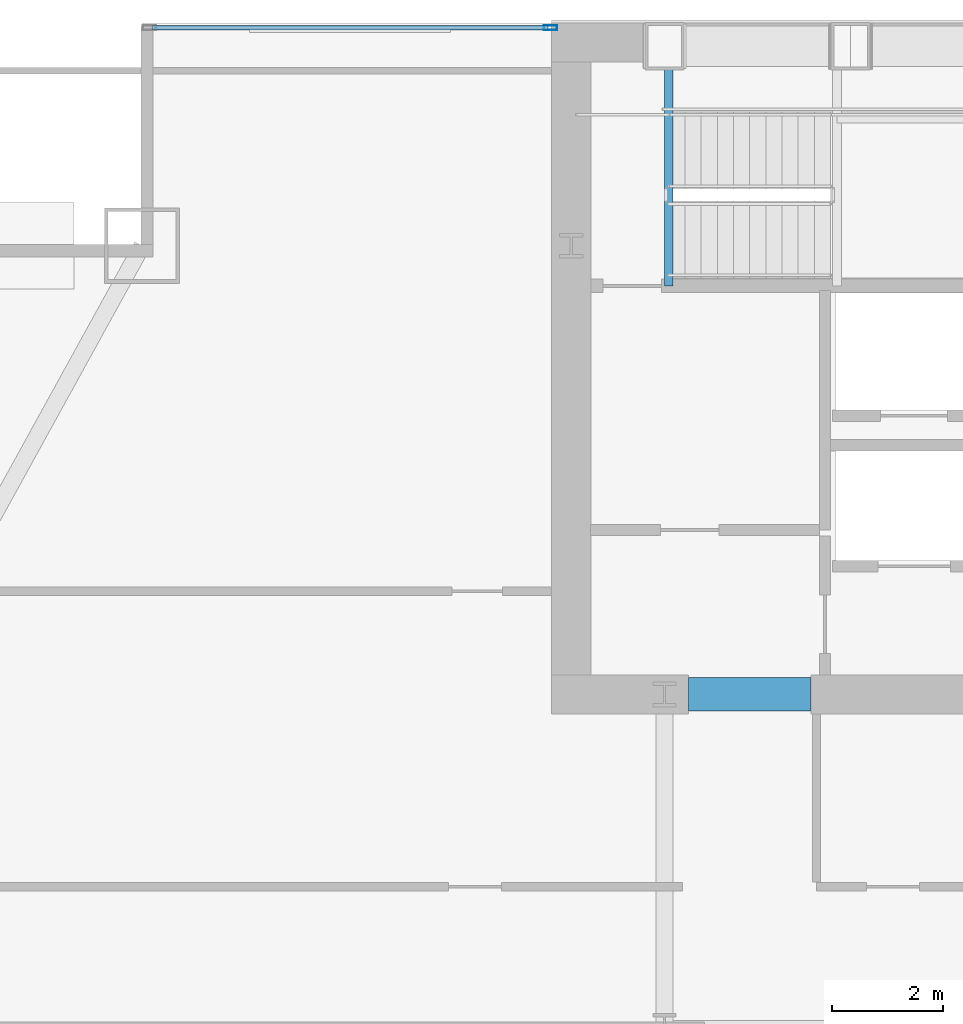
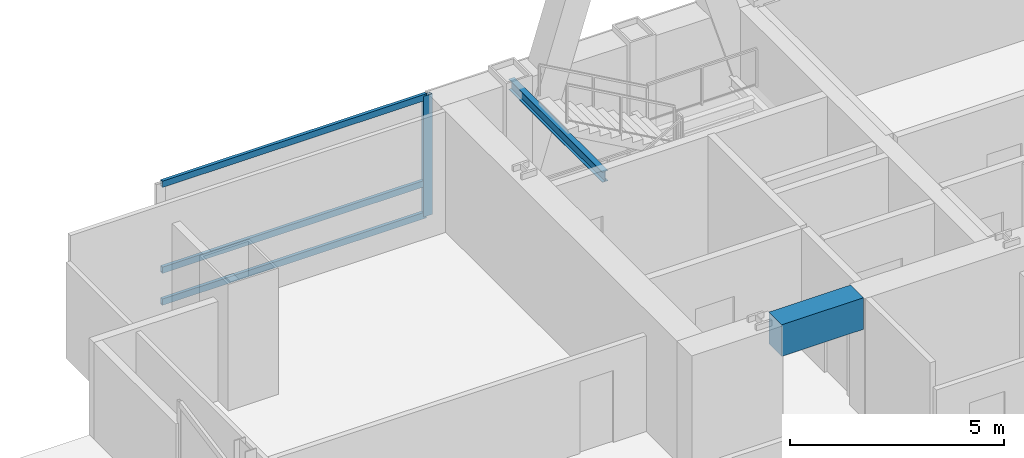
# One storey, part 17 of 30: 4 members, 2 beams, 1 element without a shape of its own.
"""IFC4 building model written with IfcOpenShell, lengths in metres."""

from ifc_helpers import new_model, si_unit, direction, frame, origin, origin_2d, place, context, subcontext, project, spatial, rectangle, hollow_rectangle, i_section, extrude, material, material_profile, profile_set, type_object, element, aggregate, save


model = new_model("IFC4")

# Units and contexts
model_context = context("Model", 3, precision=1e-05, world=origin(), true_north=direction((0.0, 1.0)))
body_context = subcontext(model_context, "Body", "Model", "MODEL_VIEW")
ifc_project = project(units=[si_unit("LENGTHUNIT", "METRE"), si_unit("AREAUNIT", "SQUARE_METRE"), si_unit("VOLUMEUNIT", "CUBIC_METRE"), si_unit("PLANEANGLEUNIT", "RADIAN"), si_unit("MASSUNIT", "GRAM", prefix="KILO")], contexts=[model_context])

# Site, building, storey
site_placement = place(None, origin())
site = spatial("IfcSite", under=ifc_project, at=site_placement, CompositionType="ELEMENT")
building_placement = place(site_placement, origin())
building = spatial("IfcBuilding", under=site, at=building_placement, Name="Khoronbel Lancet Exchange", CompositionType="ELEMENT")
storey_placement = place(building_placement, frame((0.0, 0.0, 136.199951171875)))
storey = spatial("IfcBuildingStorey", under=building, at=storey_placement, Name="L33", CompositionType="ELEMENT", Elevation=136.199951171875)

# Beams
ifc_material_1 = material(Name="Steel S355", Category="steel")
ifc_material_profile_1 = material_profile(ifc_material_1, i_section(OverallWidth=0.14990234375, OverallDepth=0.300048828125, WebThickness=0.007080078125, FlangeThickness=0.0107421875, at=origin_2d()), Name="IPE 300")
ifc_profile_set_1 = profile_set([ifc_material_profile_1], Name="Steel S355")
beam_type_1 = type_object("IfcBeamType", Name="BM-BJ8", PredefinedType="JOIST", material=ifc_profile_set_1)
beam_1_placement = place(storey_placement, frame((18.300048828125, 48.97998046875, 3.16015625), z_axis=(0.0, 1.0, 0.0), x_axis=(-1.0, 0.0, 0.0)))
element("IfcBeam", 1, at=beam_1_placement, inside=storey, type_object=beam_type_1, Name="Level L33 stair ST1 upper-flight arrival trimmer beam", PredefinedType="JOIST", context=body_context, shape_type="SweptSolid", body=[
    extrude(i_section(OverallWidth=0.14990234375, OverallDepth=0.300048828125, WebThickness=0.007080078125, FlangeThickness=0.0107421875, at=origin_2d()), origin(), (0.0, 0.0, 1.0), 4.3701171875),
])
ifc_material_2 = material(Name="Concrete C80/95", Category="concrete")
ifc_material_profile_2 = material_profile(ifc_material_2, rectangle(XDim=0.60009765625, YDim=0.89990234375, at=origin_2d()), Name="RC 600x900")
ifc_profile_set_2 = profile_set([ifc_material_profile_2], Name="Concrete C80/95")
beam_type_2 = type_object("IfcBeamType", Name="BM-BL1", PredefinedType="LINTEL", material=ifc_profile_set_2)
beam_2_placement = place(storey_placement, frame((18.64990234375, 41.64990234375, 2.989990234375), z_axis=(1.0, 0.0, 0.0), x_axis=(0.0, 1.0, 0.0)))
element("IfcBeam", 2, at=beam_2_placement, inside=storey, type_object=beam_type_2, Name="Level L33 rear core coupling lintel L1", PredefinedType="LINTEL", context=body_context, shape_type="SweptSolid", body=[
    extrude(rectangle(XDim=0.60009765625, YDim=0.89990234375, at=origin_2d()), origin(), (0.0, 0.0, 1.0), 2.2001953125),
])

# Curtain wall, members
ifc_material_3 = material(Name="Low-E Solar Control Insulating Glass", Category="glass")
curtain_wall_type = type_object("IfcCurtainWallType", Name="CW-3", PredefinedType="NOTDEFINED", material=ifc_material_3)
curtain_wall_placement = place(storey_placement, origin())
curtain_wall = element("IfcCurtainWall", 3, at=curtain_wall_placement, inside=storey, type_object=curtain_wall_type, Name="Unitised curtain wall CW-L33-NWFLK", PredefinedType="NOTDEFINED")
ifc_material_4 = material(Name="Bronze-Anodised Aluminium 6063-T6", Category="aluminium")
ifc_material_profile_3 = material_profile(ifc_material_4, hollow_rectangle(XDim=0.0849609375, YDim=0.239990234375, WallThickness=0.006103515625, at=origin_2d()), Name="ALU MULLION 85x240")
ifc_profile_set_3 = profile_set([ifc_material_profile_3], Name="Bronze-Anodised Aluminium 6063-T6")
member_type_1 = type_object("IfcMemberType", Name="MEM-CWM1", PredefinedType="MULLION", material=ifc_profile_set_3)
member_1_placement = place(storey_placement, frame((16.177490234375, 53.610107421875, 0.0), z_axis=(0.0, 0.0, 1.0), x_axis=(0.0, -1.0, 0.0)))
member_1 = element("IfcMember", 4, at=member_1_placement, type_object=member_type_1, Name="CW3 mullion 1", PredefinedType="MULLION", context=body_context, shape_type="SweptSolid", body=[
    extrude(hollow_rectangle(XDim=0.0849609375, YDim=0.239990234375, WallThickness=0.006103515625, at=origin_2d()), origin(), (0.0, 0.0, 1.0), 3.43994140625),
])
ifc_material_profile_4 = material_profile(ifc_material_4, hollow_rectangle(XDim=0.0849609375, YDim=0.179931640625, WallThickness=0.0048828125, at=origin_2d()), Name="ALU TRANSOM 85x180")
ifc_profile_set_4 = profile_set([ifc_material_profile_4], Name="Bronze-Anodised Aluminium 6063-T6")
member_type_2 = type_object("IfcMemberType", Name="MEM-CWT1", PredefinedType="USERDEFINED", material=ifc_profile_set_4)
member_2_placement = place(storey_placement, frame((16.135009765625, 53.610107421875, 0.04248046875), z_axis=(-1.0, 0.0, 0.0), x_axis=(0.0, -1.0, 0.0)))
member_2 = element("IfcMember", 5, at=member_2_placement, type_object=member_type_2, Name="CW3 transom 1.1", ObjectType="TRANSOM", PredefinedType="USERDEFINED", context=body_context, shape_type="SweptSolid", body=[
    extrude(hollow_rectangle(XDim=0.0849609375, YDim=0.179931640625, WallThickness=0.0048828125, at=origin_2d()), origin(), (0.0, 0.0, 1.0), 7.110107421875),
])
member_3_placement = place(storey_placement, frame((16.135009765625, 53.610107421875, 0.949951171875), z_axis=(-1.0, 0.0, 0.0), x_axis=(0.0, -1.0, 0.0)))
member_3 = element("IfcMember", 6, at=member_3_placement, type_object=member_type_2, Name="CW3 transom 1.2", ObjectType="TRANSOM", PredefinedType="USERDEFINED", context=body_context, shape_type="SweptSolid", body=[
    extrude(hollow_rectangle(XDim=0.0849609375, YDim=0.179931640625, WallThickness=0.0048828125, at=origin_2d()), origin(), (0.0, 0.0, 1.0), 7.110107421875),
])
member_4_placement = place(storey_placement, frame((16.135009765625, 53.610107421875, 3.3974609375), z_axis=(-1.0, 0.0, 0.0), x_axis=(0.0, -1.0, 0.0)))
member_4 = element("IfcMember", 7, at=member_4_placement, type_object=member_type_2, Name="CW3 transom 1.3", ObjectType="TRANSOM", PredefinedType="USERDEFINED", context=body_context, shape_type="SweptSolid", body=[
    extrude(hollow_rectangle(XDim=0.0849609375, YDim=0.179931640625, WallThickness=0.0048828125, at=origin_2d()), origin(), (0.0, 0.0, 1.0), 7.110107421875),
])
aggregate(curtain_wall, [member_1, member_2, member_3, member_4])

save(model, "model.ifc")
